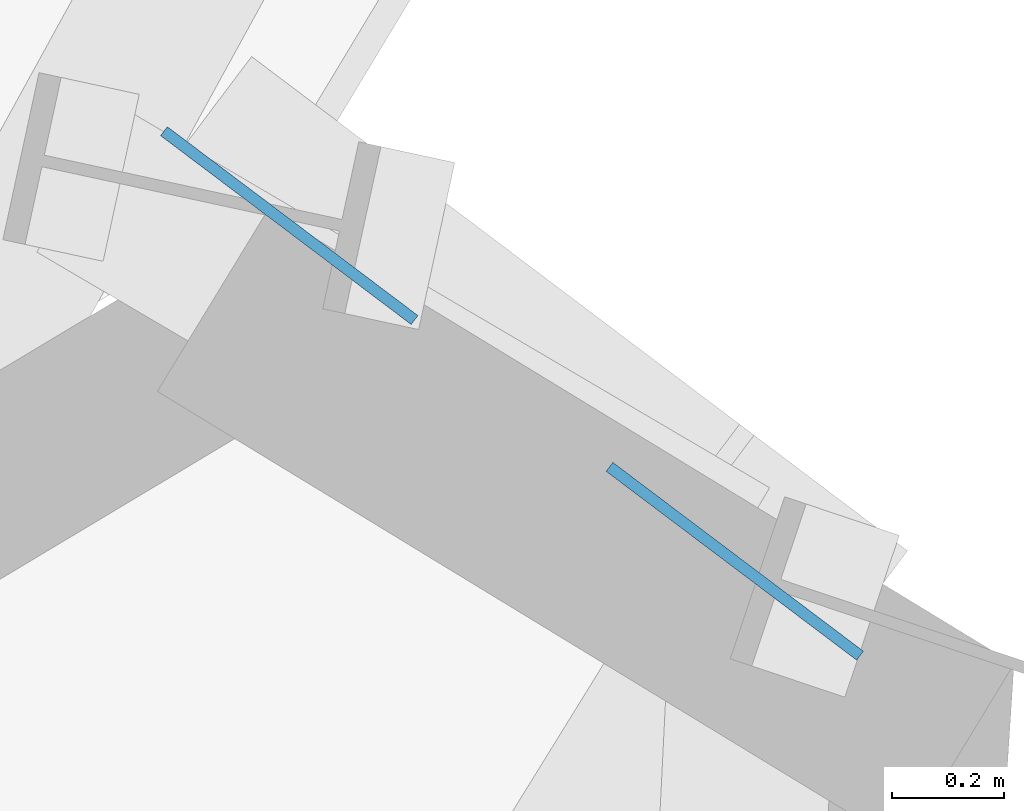
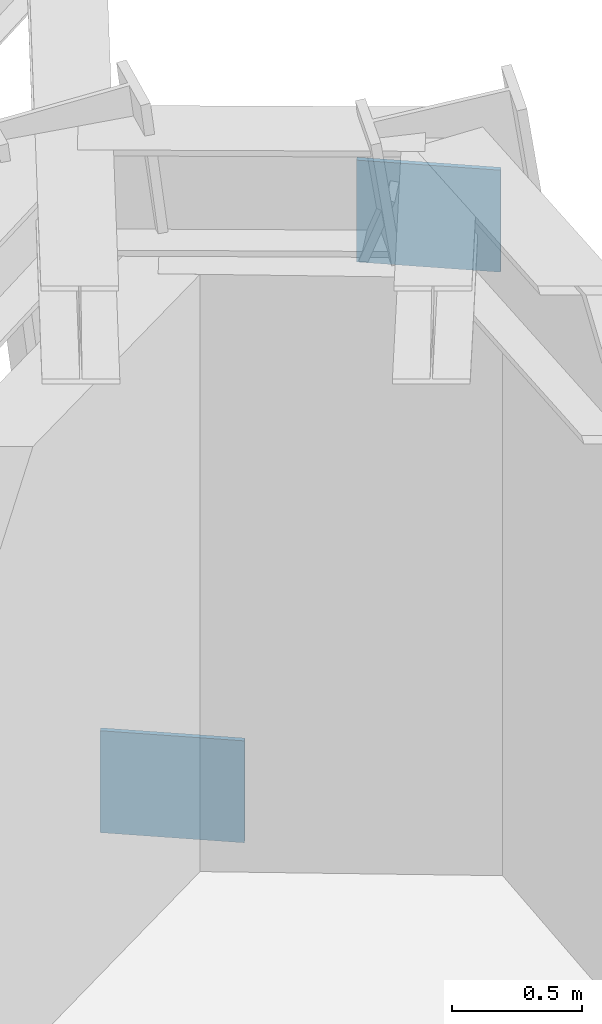
# One storey, part 8 of 14: 2 plates.
"""IFC4 building model written with IfcOpenShell, lengths in metres."""

from ifc_helpers import new_model, si_unit, direction, frame, origin, origin_2d, place, context, subcontext, project, spatial, rectangle, extrude, source, transform, mapped, material, type_object, element, save


model = new_model("IFC4")

# Units and contexts
model_context = context("Model", 3, precision=1e-05, world=origin(), true_north=direction((0.0, 1.0)))
body_context = subcontext(model_context, "Body", "Model", "MODEL_VIEW")
ifc_project = project(units=[si_unit("LENGTHUNIT", "METRE"), si_unit("AREAUNIT", "SQUARE_METRE"), si_unit("VOLUMEUNIT", "CUBIC_METRE"), si_unit("PLANEANGLEUNIT", "RADIAN"), si_unit("MASSUNIT", "GRAM", prefix="KILO")], contexts=[model_context])

# Site, building, storey
site_placement = place(None, origin())
site = spatial("IfcSite", under=ifc_project, at=site_placement, CompositionType="ELEMENT")
building_placement = place(site_placement, origin())
building = spatial("IfcBuilding", under=site, at=building_placement, Name="Olszyna Solenne Hotel", CompositionType="ELEMENT")
storey_placement = place(building_placement, frame((0.0, 0.0, 274.10009765625)))
storey = spatial("IfcBuildingStorey", under=building, at=storey_placement, Name="L73", CompositionType="ELEMENT", Elevation=274.10009765625)

# Plates
ifc_material = material(Name="Steel S355J2", Category="steel")
plate_type = type_object("IfcPlateType", Name="GP-ND2", PredefinedType="USERDEFINED", material=ifc_material)
shared_shape = source(origin(), body_context, "Body", "SweptSolid", [
    extrude(rectangle(XDim=0.56005859375, YDim=0.02001953125, at=origin_2d()), origin(), (0.0, 0.0, 1.0), 0.47998046875),
])
for number, where, z_axis, x_axis, name in (
    (1, (51.41748046875, 50.296142578125, -0.098388671875), (0.0, 0.0, 1.0), (0.798635510047, -0.601815023152, 0.0), "Brace end connection gusset plate GP-ND2 EP-BR-L73-1-1"),
    (2, (52.212646484375, 49.697021484375, 2.673095703125), (0.0, 0.0, 1.0), (0.798635510047, -0.601815023152, 0.0), "Brace end connection gusset plate GP-ND2 EP-BR-L73-1-2"),
):
    element("IfcPlate", number, at=place(storey_placement, frame(where, z_axis=z_axis, x_axis=x_axis)), inside=storey, type_object=plate_type, Name=name, ObjectType="GUSSET_PLATE", PredefinedType="USERDEFINED", context=body_context, shape_type="MappedRepresentation", body=[
        mapped(shared_shape, transform((0.0, 0.0, 0.0), x_axis=(1.0, 0.0, 0.0), y_axis=(0.0, 1.0, 0.0), z_axis=(0.0, 0.0, 1.0), scale=1.0)),
    ])

save(model, "model.ifc")
